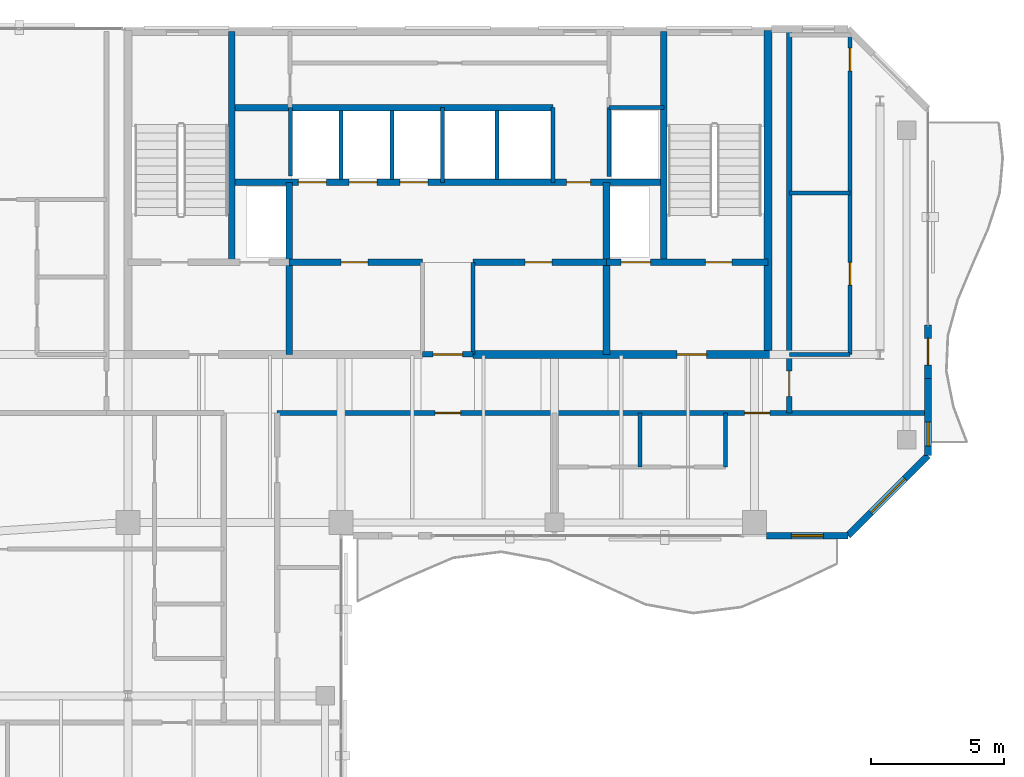
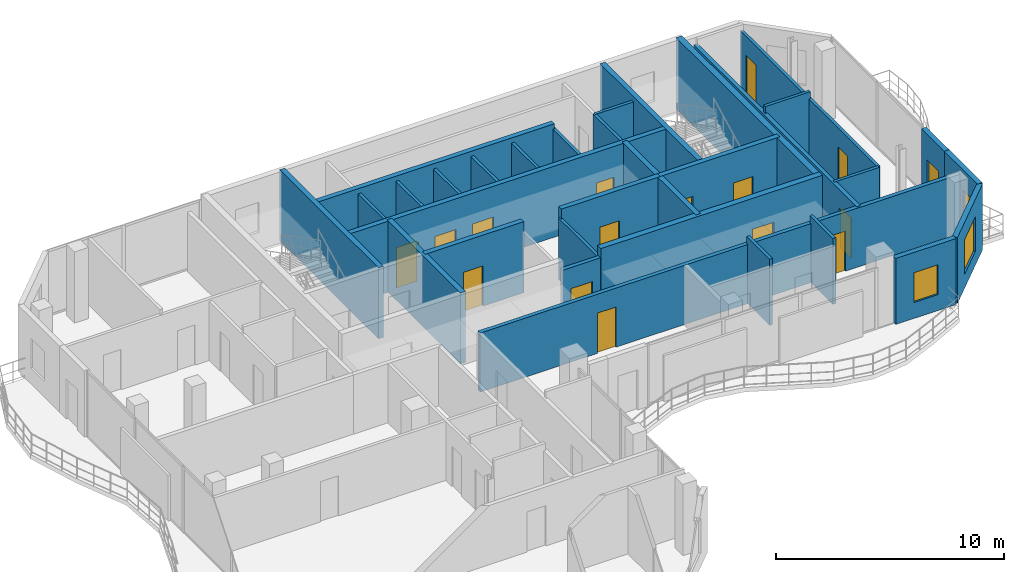
# One storey, part 19 of 23: 32 walls, 16 doors, 3 windows, 19 openings.
"""IFC4 building model written with IfcOpenShell, lengths in metres."""

from ifc_helpers import new_model, si_unit, direction, frame, frame_2d, origin, place, context, subcontext, project, spatial, rectangle, extrude, material, layer, layer_set, type_object, element, fill, save


model = new_model("IFC4")

# Units and contexts
model_context = context("Model", 3, precision=1e-05, world=origin(), true_north=direction((0.0, 1.0)))
body_context = subcontext(model_context, "Body", "Model", "MODEL_VIEW")
ifc_project = project(units=[si_unit("LENGTHUNIT", "METRE"), si_unit("AREAUNIT", "SQUARE_METRE"), si_unit("VOLUMEUNIT", "CUBIC_METRE"), si_unit("PLANEANGLEUNIT", "RADIAN"), si_unit("MASSUNIT", "GRAM", prefix="KILO")], contexts=[model_context])

# Site, building, storey
site_placement = place(None, origin())
site = spatial("IfcSite", under=ifc_project, at=site_placement, CompositionType="ELEMENT")
building_placement = place(site_placement, origin())
building = spatial("IfcBuilding", under=site, at=building_placement, Name="Catumbela Crestline Tower", CompositionType="ELEMENT")
storey_placement = place(building_placement, frame((0.0, 0.0, 252.6)))
storey = spatial("IfcBuildingStorey", under=building, at=storey_placement, Name="L65", CompositionType="ELEMENT", Elevation=252.6)

# Walls
ifc_material_1 = material(Name="Concrete C50/60", Category="concrete")
ifc_layer_1 = layer(ifc_material_1, 0.25, Name="Concrete C50/60")
ifc_layer_set_1 = layer_set([ifc_layer_1], Name="Concrete C50/60")
wall_type_1 = type_object("IfcWallType", Name="CW-250D", PredefinedType="SHEAR", material=ifc_layer_set_1)
for number, where, z_axis, x_axis, name in (
    (1, (19.9, 34.25, 0.0), (0.0, 0.0, 1.0), (0.0, 1.0, 0.0), "L65 Structural Core Shear Wall WWEB"),
    (2, (36.1, 34.25, 0.0), (0.0, 0.0, 1.0), (0.0, 1.0, 0.0), "L65 Structural Core Shear Wall EWEB"),
):
    element("IfcWall", number, at=place(storey_placement, frame(where, z_axis=z_axis, x_axis=x_axis)), inside=storey, type_object=wall_type_1, Name=name, PredefinedType="SHEAR", context=body_context, shape_type="SweptSolid", body=[
        extrude(rectangle(XDim=8.65, YDim=0.25, at=frame_2d((4.325, 0.0))), origin(), (0.0, 0.0, 1.0), 3.8),
    ])
for number, where, z_axis, x_axis, name in (
    (3, (22.05, 30.8, 0.0), (0.0, 0.0, 1.0), (0.0, 1.0, 0.0), "L65 Structural Core Shear Wall FFW"),
    (4, (33.95, 30.8, 0.0), (0.0, 0.0, 1.0), (0.0, 1.0, 0.0), "L65 Structural Core Shear Wall FFE"),
):
    element("IfcWall", number, at=place(storey_placement, frame(where, z_axis=z_axis, x_axis=x_axis)), inside=storey, type_object=wall_type_1, Name=name, PredefinedType="SHEAR", context=body_context, shape_type="SweptSolid", body=[
        extrude(rectangle(XDim=6.45, YDim=0.25, at=frame_2d((3.225, 0.0))), origin(), (0.0, 0.0, 1.0), 3.8),
    ])

# Wall, openings, doors
wall_1_placement = place(storey_placement, frame((33.95, 34.25, 0.0), z_axis=(0.0, 0.0, 1.0), x_axis=(1.0, 0.0, 0.0)))
wall_1 = element("IfcWall", 5, at=wall_1_placement, inside=storey, type_object=wall_type_1, Name="L65 Structural Core Shear Wall ST2S", PredefinedType="SHEAR", context=body_context, shape_type="SweptSolid", body=[
    extrude(rectangle(XDim=6.05, YDim=0.25, at=frame_2d((3.025, 0.0))), origin(), (0.0, 0.0, 1.0), 3.8),
])
opening_1_placement = place(wall_1_placement, frame((3.7, 0.0, 0.0)))
opening_1 = element("IfcOpeningElement", 6, at=opening_1_placement, cuts=wall_1, Name="Opening DF9-100", PredefinedType="OPENING", context=body_context, shape_type="SweptSolid", body=[
    extrude(rectangle(XDim=1.0, YDim=2.15, at=frame_2d((0.5, 1.075))), frame((0.0, 0.135, 0.0), z_axis=(0.0, -1.0, 0.0), x_axis=(1.0, 0.0, 0.0)), (0.0, 0.0, 1.0), 0.27),
])
opening_2_placement = place(wall_1_placement, frame((0.55, 0.0, 0.0)))
opening_2 = element("IfcOpeningElement", 7, at=opening_2_placement, cuts=wall_1, Name="Opening LD-110", PredefinedType="OPENING", context=body_context, shape_type="SweptSolid", body=[
    extrude(rectangle(XDim=1.1, YDim=2.15, at=frame_2d((0.55, 1.075))), frame((0.0, 0.135, 0.0), z_axis=(0.0, -1.0, 0.0), x_axis=(1.0, 0.0, 0.0)), (0.0, 0.0, 1.0), 0.27),
])
ifc_material_2 = material(Name="Stainless steel EN 1.4401", Category="steel")
door_type_1 = type_object("IfcDoorType", Name="DF9-100", OperationType="NOTDEFINED", PredefinedType="DOOR", material=ifc_material_2)
door_1_placement = place(opening_1_placement, origin())
door_1 = element("IfcDoor", 8, at=door_1_placement, inside=storey, type_object=door_type_1, Name="L65 Interior Door DR-L65-ST02", OperationType="SINGLE_SWING_RIGHT", OverallHeight=2.15, OverallWidth=1.0, PredefinedType="DOOR", context=body_context, shape_type="SweptSolid", body=[
    extrude(rectangle(XDim=1.0, YDim=2.15, at=frame_2d((0.5, 1.075))), frame((0.0, 0.025, 0.0), z_axis=(0.0, -1.0, 0.0), x_axis=(1.0, 0.0, 0.0)), (0.0, 0.0, 1.0), 0.05),
])
fill(opening_1, door_1)
door_type_2 = type_object("IfcDoorType", Name="LD-110", OperationType="NOTDEFINED", PredefinedType="DOOR", material=ifc_material_2)
door_2_placement = place(opening_2_placement, origin())
door_2 = element("IfcDoor", 9, at=door_2_placement, inside=storey, type_object=door_type_2, Name="L65 Lift Landing Sliding Door FL-02", OperationType="DOUBLE_DOOR_SLIDING", OverallHeight=2.15, OverallWidth=1.1, PredefinedType="DOOR", context=body_context, shape_type="SweptSolid", body=[
    extrude(rectangle(XDim=1.1, YDim=2.15, at=frame_2d((0.55, 1.075))), frame((0.0, 0.025, 0.0), z_axis=(0.0, -1.0, 0.0), x_axis=(1.0, 0.0, 0.0)), (0.0, 0.0, 1.0), 0.05),
])
fill(opening_2, door_2)

# Wall, opening, door
wall_2_placement = place(storey_placement, frame((22.05, 34.25, 0.0), z_axis=(0.0, 0.0, 1.0), x_axis=(1.0, 0.0, 0.0)))
wall_2 = element("IfcWall", 10, at=wall_2_placement, inside=storey, type_object=wall_type_1, Name="L65 Structural Core Shear Wall LIFTS-W", PredefinedType="SHEAR", context=body_context, shape_type="SweptSolid", body=[
    extrude(rectangle(XDim=5.0, YDim=0.25, at=frame_2d((2.5, 0.0))), origin(), (0.0, 0.0, 1.0), 3.8),
])
opening_3_placement = place(wall_2_placement, frame((1.95, 0.0, 0.0)))
opening_3 = element("IfcOpeningElement", 11, at=opening_3_placement, cuts=wall_2, Name="Opening DF9-100", PredefinedType="OPENING", context=body_context, shape_type="SweptSolid", body=[
    extrude(rectangle(XDim=1.0, YDim=2.15, at=frame_2d((0.5, 1.075))), frame((0.0, 0.135, 0.0), z_axis=(0.0, -1.0, 0.0), x_axis=(1.0, 0.0, 0.0)), (0.0, 0.0, 1.0), 0.27),
])
door_3_placement = place(opening_3_placement, origin())
door_3 = element("IfcDoor", 12, at=door_3_placement, inside=storey, type_object=door_type_1, Name="L65 Interior Door DR-L65-RECL1", OperationType="SINGLE_SWING_LEFT", OverallHeight=2.15, OverallWidth=1.0, PredefinedType="DOOR", context=body_context, shape_type="SweptSolid", body=[
    extrude(rectangle(XDim=1.0, YDim=2.15, at=frame_2d((0.5, 1.075))), frame((0.0, 0.025, 0.0), z_axis=(0.0, -1.0, 0.0), x_axis=(1.0, 0.0, 0.0)), (0.0, 0.0, 1.0), 0.05),
])
fill(opening_3, door_3)

wall_3_placement = place(storey_placement, frame((28.95, 34.25, 0.0), z_axis=(0.0, 0.0, 1.0), x_axis=(1.0, 0.0, 0.0)))
wall_3 = element("IfcWall", 13, at=wall_3_placement, inside=storey, type_object=wall_type_1, Name="L65 Structural Core Shear Wall LIFTS-E", PredefinedType="SHEAR", context=body_context, shape_type="SweptSolid", body=[
    extrude(rectangle(XDim=5.0, YDim=0.25, at=frame_2d((2.5, 0.0))), origin(), (0.0, 0.0, 1.0), 3.8),
])
opening_4_placement = place(wall_3_placement, frame((1.95, 0.0, 0.0)))
opening_4 = element("IfcOpeningElement", 14, at=opening_4_placement, cuts=wall_3, Name="Opening DF9-100", PredefinedType="OPENING", context=body_context, shape_type="SweptSolid", body=[
    extrude(rectangle(XDim=1.0, YDim=2.15, at=frame_2d((0.5, 1.075))), frame((0.0, 0.135, 0.0), z_axis=(0.0, -1.0, 0.0), x_axis=(1.0, 0.0, 0.0)), (0.0, 0.0, 1.0), 0.27),
])
door_4_placement = place(opening_4_placement, origin())
door_4 = element("IfcDoor", 15, at=door_4_placement, inside=storey, type_object=door_type_1, Name="L65 Interior Door DR-L65-RECL2", OperationType="SINGLE_SWING_RIGHT", OverallHeight=2.15, OverallWidth=1.0, PredefinedType="DOOR", context=body_context, shape_type="SweptSolid", body=[
    extrude(rectangle(XDim=1.0, YDim=2.15, at=frame_2d((0.5, 1.075))), frame((0.0, 0.025, 0.0), z_axis=(0.0, -1.0, 0.0), x_axis=(1.0, 0.0, 0.0)), (0.0, 0.0, 1.0), 0.05),
])
fill(opening_4, door_4)

# Wall, openings, doors
wall_4_placement = place(storey_placement, frame((19.9, 37.25, 0.0), z_axis=(0.0, 0.0, 1.0), x_axis=(1.0, 0.0, 0.0)))
wall_4 = element("IfcWall", 16, at=wall_4_placement, inside=storey, type_object=wall_type_1, Name="L65 Structural Core Shear Wall LIFTN", PredefinedType="SHEAR", context=body_context, shape_type="SweptSolid", body=[
    extrude(rectangle(XDim=16.2, YDim=0.25, at=frame_2d((8.1, 0.0))), origin(), (0.0, 0.0, 1.0), 3.8),
])
opening_5_placement = place(wall_4_placement, frame((12.55, 0.0, 0.0)))
opening_5 = element("IfcOpeningElement", 17, at=opening_5_placement, cuts=wall_4, Name="Opening DF9-090", PredefinedType="OPENING", context=body_context, shape_type="SweptSolid", body=[
    extrude(rectangle(XDim=0.9, YDim=2.15, at=frame_2d((0.45, 1.075))), frame((0.0, 0.135, 0.0), z_axis=(0.0, -1.0, 0.0), x_axis=(1.0, 0.0, 0.0)), (0.0, 0.0, 1.0), 0.27),
])
opening_6_placement = place(wall_4_placement, frame((2.5, 0.0, 0.0)))
opening_6 = element("IfcOpeningElement", 18, at=opening_6_placement, cuts=wall_4, Name="Opening LD-105", PredefinedType="OPENING", context=body_context, shape_type="SweptSolid", body=[
    extrude(rectangle(XDim=1.05, YDim=2.15, at=frame_2d((0.525, 1.075))), frame((0.0, 0.135, 0.0), z_axis=(0.0, -1.0, 0.0), x_axis=(1.0, 0.0, 0.0)), (0.0, 0.0, 1.0), 0.27),
])
opening_7_placement = place(wall_4_placement, frame((4.4, 0.0, 0.0)))
opening_7 = element("IfcOpeningElement", 19, at=opening_7_placement, cuts=wall_4, Name="Opening LD-105", PredefinedType="OPENING", context=body_context, shape_type="SweptSolid", body=[
    extrude(rectangle(XDim=1.05, YDim=2.15, at=frame_2d((0.525, 1.075))), frame((0.0, 0.135, 0.0), z_axis=(0.0, -1.0, 0.0), x_axis=(1.0, 0.0, 0.0)), (0.0, 0.0, 1.0), 0.27),
])
opening_8_placement = place(wall_4_placement, frame((6.3, 0.0, 0.0)))
opening_8 = element("IfcOpeningElement", 20, at=opening_8_placement, cuts=wall_4, Name="Opening LD-105", PredefinedType="OPENING", context=body_context, shape_type="SweptSolid", body=[
    extrude(rectangle(XDim=1.05, YDim=2.15, at=frame_2d((0.525, 1.075))), frame((0.0, 0.135, 0.0), z_axis=(0.0, -1.0, 0.0), x_axis=(1.0, 0.0, 0.0)), (0.0, 0.0, 1.0), 0.27),
])
door_type_3 = type_object("IfcDoorType", Name="DF9-090", OperationType="NOTDEFINED", PredefinedType="DOOR", material=ifc_material_2)
door_5_placement = place(opening_5_placement, origin())
door_5 = element("IfcDoor", 21, at=door_5_placement, inside=storey, type_object=door_type_3, Name="L65 Interior Door DR-L65-CPAS1", OperationType="SINGLE_SWING_LEFT", OverallHeight=2.15, OverallWidth=0.9, PredefinedType="DOOR", context=body_context, shape_type="SweptSolid", body=[
    extrude(rectangle(XDim=0.9, YDim=2.15, at=frame_2d((0.45, 1.075))), frame((0.0, 0.025, 0.0), z_axis=(0.0, -1.0, 0.0), x_axis=(1.0, 0.0, 0.0)), (0.0, 0.0, 1.0), 0.05),
])
fill(opening_5, door_5)
door_type_4 = type_object("IfcDoorType", Name="LD-105", OperationType="NOTDEFINED", PredefinedType="DOOR", material=ifc_material_2)
door_6_placement = place(opening_6_placement, origin())
door_6 = element("IfcDoor", 22, at=door_6_placement, inside=storey, type_object=door_type_4, Name="L65 Lift Landing Sliding Door PL-H1", OperationType="DOUBLE_DOOR_SLIDING", OverallHeight=2.15, OverallWidth=1.05, PredefinedType="DOOR", context=body_context, shape_type="SweptSolid", body=[
    extrude(rectangle(XDim=1.05, YDim=2.15, at=frame_2d((0.525, 1.075))), frame((0.0, 0.025, 0.0), z_axis=(0.0, -1.0, 0.0), x_axis=(1.0, 0.0, 0.0)), (0.0, 0.0, 1.0), 0.05),
])
fill(opening_6, door_6)
door_7_placement = place(opening_7_placement, origin())
door_7 = element("IfcDoor", 23, at=door_7_placement, inside=storey, type_object=door_type_4, Name="L65 Lift Landing Sliding Door PL-H2", OperationType="DOUBLE_DOOR_SLIDING", OverallHeight=2.15, OverallWidth=1.05, PredefinedType="DOOR", context=body_context, shape_type="SweptSolid", body=[
    extrude(rectangle(XDim=1.05, YDim=2.15, at=frame_2d((0.525, 1.075))), frame((0.0, 0.025, 0.0), z_axis=(0.0, -1.0, 0.0), x_axis=(1.0, 0.0, 0.0)), (0.0, 0.0, 1.0), 0.05),
])
fill(opening_7, door_7)
door_8_placement = place(opening_8_placement, origin())
door_8 = element("IfcDoor", 24, at=door_8_placement, inside=storey, type_object=door_type_4, Name="L65 Lift Landing Sliding Door PL-H3", OperationType="DOUBLE_DOOR_SLIDING", OverallHeight=2.15, OverallWidth=1.05, PredefinedType="DOOR", context=body_context, shape_type="SweptSolid", body=[
    extrude(rectangle(XDim=1.05, YDim=2.15, at=frame_2d((0.525, 1.075))), frame((0.0, 0.025, 0.0), z_axis=(0.0, -1.0, 0.0), x_axis=(1.0, 0.0, 0.0)), (0.0, 0.0, 1.0), 0.05),
])
fill(opening_8, door_8)

# Walls
wall_5_placement = place(storey_placement, frame((19.9, 40.05, 0.0), z_axis=(0.0, 0.0, 1.0), x_axis=(1.0, 0.0, 0.0)))
element("IfcWall", 25, at=wall_5_placement, inside=storey, type_object=wall_type_1, Name="L65 Structural Core Shear Wall COREN", PredefinedType="SHEAR", context=body_context, shape_type="SweptSolid", body=[
    extrude(rectangle(XDim=12.05, YDim=0.25, at=frame_2d((6.025, 0.0))), origin(), (0.0, 0.0, 1.0), 3.8),
])
ifc_material_3 = material(Name="Concrete C45/55", Category="concrete")
ifc_layer_2 = layer(ifc_material_3, 0.3, Name="Concrete C45/55")
ifc_layer_set_2 = layer_set([ifc_layer_2], Name="Concrete C45/55")
wall_type_2 = type_object("IfcWallType", Name="CW-300C", PredefinedType="SHEAR", material=ifc_layer_set_2)
wall_6_placement = place(storey_placement, frame((40.0, 30.65, 0.0), z_axis=(0.0, 0.0, 1.0), x_axis=(0.0, 1.0, 0.0)))
element("IfcWall", 26, at=wall_6_placement, inside=storey, type_object=wall_type_2, Name="L65 Structural Core Shear Wall E", PredefinedType="SHEAR", context=body_context, shape_type="SweptSolid", body=[
    extrude(rectangle(XDim=12.3, YDim=0.3, at=frame_2d((6.15, 0.0))), origin(), (0.0, 0.0, 1.0), 3.8),
])

# Wall, opening, door
wall_7_placement = place(storey_placement, frame((28.95, 30.8, 0.0), z_axis=(0.0, 0.0, 1.0), x_axis=(1.0, 0.0, 0.0)))
wall_7 = element("IfcWall", 27, at=wall_7_placement, inside=storey, type_object=wall_type_2, Name="L65 Structural Core Shear Wall SE", PredefinedType="SHEAR", context=body_context, shape_type="SweptSolid", body=[
    extrude(rectangle(XDim=11.2, YDim=0.3, at=frame_2d((5.6, 0.0))), origin(), (0.0, 0.0, 1.0), 3.8),
])
opening_9_placement = place(wall_7_placement, frame((7.65, 0.0, 0.0)))
opening_9 = element("IfcOpeningElement", 28, at=opening_9_placement, cuts=wall_7, Name="Opening DF9-110", PredefinedType="OPENING", context=body_context, shape_type="SweptSolid", body=[
    extrude(rectangle(XDim=1.1, YDim=2.15, at=frame_2d((0.55, 1.075))), frame((0.0, 0.16, 0.0), z_axis=(0.0, -1.0, 0.0), x_axis=(1.0, 0.0, 0.0)), (0.0, 0.0, 1.0), 0.32),
])
door_type_5 = type_object("IfcDoorType", Name="DF9-110", OperationType="NOTDEFINED", PredefinedType="DOOR", material=ifc_material_2)
door_9_placement = place(opening_9_placement, origin())
door_9 = element("IfcDoor", 29, at=door_9_placement, inside=storey, type_object=door_type_5, Name="L65 Interior Door DR-L65-FFE-S", OperationType="SINGLE_SWING_RIGHT", OverallHeight=2.15, OverallWidth=1.1, PredefinedType="DOOR", context=body_context, shape_type="SweptSolid", body=[
    extrude(rectangle(XDim=1.1, YDim=2.15, at=frame_2d((0.55, 1.075))), frame((0.0, 0.025, 0.0), z_axis=(0.0, -1.0, 0.0), x_axis=(1.0, 0.0, 0.0)), (0.0, 0.0, 1.0), 0.05),
])
fill(opening_9, door_9)

ifc_material_4 = material(Name="Acoustic gypsum and mineral-wool partition")
ifc_layer_3 = layer(ifc_material_4, 0.2, Name="Acoustic gypsum and mineral-wool partition")
ifc_layer_set_3 = layer_set([ifc_layer_3], Name="Acoustic gypsum and mineral-wool partition")
wall_type_3 = type_object("IfcWallType", Name="WC-200", PredefinedType="PARTITIONING", material=ifc_layer_set_3)
wall_8_placement = place(storey_placement, frame((27.05, 30.8, 0.0), z_axis=(0.0, 0.0, 1.0), x_axis=(1.0, 0.0, 0.0)))
wall_8 = element("IfcWall", 30, at=wall_8_placement, inside=storey, type_object=wall_type_3, Name="L65 Interior Partition PW-L65-CLOBS", PredefinedType="PARTITIONING", context=body_context, shape_type="SweptSolid", body=[
    extrude(rectangle(XDim=1.9, YDim=0.2, at=frame_2d((0.95, 0.0))), origin(), (0.0, 0.0, 1.0), 3.28),
])
opening_10_placement = place(wall_8_placement, frame((0.4, 0.0, 0.0)))
opening_10 = element("IfcOpeningElement", 31, at=opening_10_placement, cuts=wall_8, Name="Opening DF9-110", PredefinedType="OPENING", context=body_context, shape_type="SweptSolid", body=[
    extrude(rectangle(XDim=1.1, YDim=2.15, at=frame_2d((0.55, 1.075))), frame((0.0, 0.11, 0.0), z_axis=(0.0, -1.0, 0.0), x_axis=(1.0, 0.0, 0.0)), (0.0, 0.0, 1.0), 0.22),
])
door_10_placement = place(opening_10_placement, origin())
door_10 = element("IfcDoor", 32, at=door_10_placement, inside=storey, type_object=door_type_5, Name="L65 Interior Door DR-L65-CLOBS", OperationType="SINGLE_SWING_LEFT", OverallHeight=2.15, OverallWidth=1.1, PredefinedType="DOOR", context=body_context, shape_type="SweptSolid", body=[
    extrude(rectangle(XDim=1.1, YDim=2.15, at=frame_2d((0.55, 1.075))), frame((0.0, 0.025, 0.0), z_axis=(0.0, -1.0, 0.0), x_axis=(1.0, 0.0, 0.0)), (0.0, 0.0, 1.0), 0.05),
])
fill(opening_10, door_10)

# Wall, openings, doors
wall_9_placement = place(storey_placement, frame((21.6, 28.6, 0.0), z_axis=(0.0, 0.0, 1.0), x_axis=(1.0, 0.0, 0.0)))
wall_9 = element("IfcWall", 33, at=wall_9_placement, inside=storey, type_object=wall_type_3, Name="L65 Interior Partition PW-L65-RCWR", PredefinedType="PARTITIONING", context=body_context, shape_type="SweptSolid", body=[
    extrude(rectangle(XDim=24.3, YDim=0.2, at=frame_2d((12.15, 0.0))), origin(), (0.0, 0.0, 1.0), 3.16),
])
opening_11_placement = place(wall_9_placement, frame((5.925, 0.0, 0.0)))
opening_11 = element("IfcOpeningElement", 34, at=opening_11_placement, cuts=wall_9, Name="Opening DF6-095", PredefinedType="OPENING", context=body_context, shape_type="SweptSolid", body=[
    extrude(rectangle(XDim=0.95, YDim=2.15, at=frame_2d((0.475, 1.075))), frame((0.0, 0.11, 0.0), z_axis=(0.0, -1.0, 0.0), x_axis=(1.0, 0.0, 0.0)), (0.0, 0.0, 1.0), 0.22),
])
opening_12_placement = place(wall_9_placement, frame((17.525, 0.0, 0.0)))
opening_12 = element("IfcOpeningElement", 35, at=opening_12_placement, cuts=wall_9, Name="Opening DF6-095", PredefinedType="OPENING", context=body_context, shape_type="SweptSolid", body=[
    extrude(rectangle(XDim=0.95, YDim=2.15, at=frame_2d((0.475, 1.075))), frame((0.0, 0.11, 0.0), z_axis=(0.0, -1.0, 0.0), x_axis=(1.0, 0.0, 0.0)), (0.0, 0.0, 1.0), 0.22),
])
ifc_material_5 = material(Name="Aluminium alloy AW-6060-T66", Category="aluminium")
door_type_6 = type_object("IfcDoorType", Name="DF6-095", OperationType="NOTDEFINED", PredefinedType="DOOR", material=ifc_material_5)
door_11_placement = place(opening_11_placement, origin())
door_11 = element("IfcDoor", 36, at=door_11_placement, inside=storey, type_object=door_type_6, Name="L65 Interior Door DR-L65-Z4G3O-ENT", OperationType="SINGLE_SWING_RIGHT", OverallHeight=2.15, OverallWidth=0.95, PredefinedType="DOOR", context=body_context, shape_type="SweptSolid", body=[
    extrude(rectangle(XDim=0.95, YDim=2.15, at=frame_2d((0.475, 1.075))), frame((0.0, 0.025, 0.0), z_axis=(0.0, -1.0, 0.0), x_axis=(1.0, 0.0, 0.0)), (0.0, 0.0, 1.0), 0.05),
])
fill(opening_11, door_11)
door_12_placement = place(opening_12_placement, origin())
door_12 = element("IfcDoor", 37, at=door_12_placement, inside=storey, type_object=door_type_6, Name="L65 Interior Door DR-L65-S2-ENT", OperationType="SINGLE_SWING_RIGHT", OverallHeight=2.15, OverallWidth=0.95, PredefinedType="DOOR", context=body_context, shape_type="SweptSolid", body=[
    extrude(rectangle(XDim=0.95, YDim=2.15, at=frame_2d((0.475, 1.075))), frame((0.0, 0.025, 0.0), z_axis=(0.0, -1.0, 0.0), x_axis=(1.0, 0.0, 0.0)), (0.0, 0.0, 1.0), 0.05),
])
fill(opening_12, door_12)

# Wall, opening, door
wall_10_placement = place(storey_placement, frame((40.8, 28.6, 0.0), z_axis=(0.0, 0.0, 1.0), x_axis=(0.0, 1.0, 0.0)))
wall_10 = element("IfcWall", 38, at=wall_10_placement, inside=storey, type_object=wall_type_3, Name="L65 Interior Partition PW-L65-NE1-ENT", PredefinedType="PARTITIONING", context=body_context, shape_type="SweptSolid", body=[
    extrude(rectangle(XDim=14.3, YDim=0.2, at=frame_2d((7.15, 0.0))), origin(), (0.0, 0.0, 1.0), 3.16),
])
opening_13_placement = place(wall_10_placement, frame((0.625, 0.0, 0.0)))
opening_13 = element("IfcOpeningElement", 39, at=opening_13_placement, cuts=wall_10, Name="Opening DF6-095", PredefinedType="OPENING", context=body_context, shape_type="SweptSolid", body=[
    extrude(rectangle(XDim=0.95, YDim=2.15, at=frame_2d((0.475, 1.075))), frame((0.0, 0.11, 0.0), z_axis=(0.0, -1.0, 0.0), x_axis=(1.0, 0.0, 0.0)), (0.0, 0.0, 1.0), 0.22),
])
door_13_placement = place(opening_13_placement, origin())
door_13 = element("IfcDoor", 40, at=door_13_placement, inside=storey, type_object=door_type_6, Name="L65 Interior Door DR-L65-NE1-ENT", OperationType="SINGLE_SWING_LEFT", OverallHeight=2.15, OverallWidth=0.95, PredefinedType="DOOR", context=body_context, shape_type="SweptSolid", body=[
    extrude(rectangle(XDim=0.95, YDim=2.15, at=frame_2d((0.475, 1.075))), frame((0.0, 0.025, 0.0), z_axis=(0.0, -1.0, 0.0), x_axis=(1.0, 0.0, 0.0)), (0.0, 0.0, 1.0), 0.05),
])
fill(opening_13, door_13)

# Wall, opening, window
ifc_material_6 = material(Name="Angolan grey-ochre granite", Category="masonry")
ifc_layer_4 = layer(ifc_material_6, 0.25, Name="Angolan grey-ochre granite")
ifc_layer_set_4 = layer_set([ifc_layer_4], Name="Angolan grey-ochre granite")
wall_type_4 = type_object("IfcWallType", Name="WE-250", PredefinedType="STANDARD", material=ifc_layer_set_4)
wall_11_placement = place(storey_placement, frame((39.95, 24.0, 0.0), z_axis=(0.0, 0.0, 1.0), x_axis=(1.0, 0.0, 0.0)))
wall_11 = element("IfcWall", 41, at=wall_11_placement, inside=storey, type_object=wall_type_4, Name="L65 Granite Punched Window Wall 3-3", PredefinedType="STANDARD", context=body_context, shape_type="SweptSolid", body=[
    extrude(rectangle(XDim=3.05, YDim=0.25, at=frame_2d((1.525, 0.0))), origin(), (0.0, 0.0, 1.0), 3.53),
])
opening_14_placement = place(wall_11_placement, frame((0.925, 0.0, 0.85)))
opening_14 = element("IfcOpeningElement", 42, at=opening_14_placement, cuts=wall_11, Name="Opening WN-02", PredefinedType="OPENING", context=body_context, shape_type="SweptSolid", body=[
    extrude(rectangle(XDim=1.2, YDim=1.6, at=frame_2d((0.6, 0.8))), frame((0.0, 0.135, 0.0), z_axis=(0.0, -1.0, 0.0), x_axis=(1.0, 0.0, 0.0)), (0.0, 0.0, 1.0), 0.27),
])
ifc_material_7 = material(Name="Low-E laminated solar-control double glazing", Category="glass")
window_type_1 = type_object("IfcWindowType", Name="WO-1200", PartitioningType="SINGLE_PANEL", PredefinedType="WINDOW", material=ifc_material_7)
window_1_placement = place(opening_14_placement, origin())
window_1 = element("IfcWindow", 43, at=window_1_placement, inside=storey, type_object=window_type_1, Name="L65 Facade Vision Window 496", OverallHeight=1.6, OverallWidth=1.2, PartitioningType="SINGLE_PANEL", PredefinedType="WINDOW", context=body_context, shape_type="SweptSolid", body=[
    extrude(rectangle(XDim=1.2, YDim=1.6, at=frame_2d((0.6, 0.8))), frame((0.0, 0.03, 0.0), z_axis=(0.0, -1.0, 0.0), x_axis=(1.0, 0.0, 0.0)), (0.0, 0.0, 1.0), 0.06),
])
fill(opening_14, window_1)

wall_12_placement = place(storey_placement, frame((43.0, 24.0, 0.0), z_axis=(0.0, 0.0, 1.0), x_axis=(0.707106781187, 0.707106781187, 0.0)))
wall_12 = element("IfcWall", 44, at=wall_12_placement, inside=storey, type_object=wall_type_4, Name="L65 Granite Punched Window Wall 4-1", PredefinedType="STANDARD", context=body_context, shape_type="SweptSolid", body=[
    extrude(rectangle(XDim=4.2426, YDim=0.25, at=frame_2d((2.1213, 0.0))), origin(), (0.0, 0.0, 1.0), 3.53),
])
opening_15_placement = place(wall_12_placement, frame((1.2213, 0.0, 0.75)))
opening_15 = element("IfcOpeningElement", 45, at=opening_15_placement, cuts=wall_12, Name="Opening WN-01", PredefinedType="OPENING", context=body_context, shape_type="SweptSolid", body=[
    extrude(rectangle(XDim=1.8, YDim=1.85, at=frame_2d((0.9, 0.925))), frame((0.0, 0.135, 0.0), z_axis=(0.0, -1.0, 0.0), x_axis=(1.0, 0.0, 0.0)), (0.0, 0.0, 1.0), 0.27),
])
window_type_2 = type_object("IfcWindowType", Name="WF-1800", PartitioningType="SINGLE_PANEL", PredefinedType="WINDOW", material=ifc_material_7)
window_2_placement = place(opening_15_placement, origin())
window_2 = element("IfcWindow", 46, at=window_2_placement, inside=storey, type_object=window_type_2, Name="L65 Facade Vision Window 497", OverallHeight=1.85, OverallWidth=1.8, PartitioningType="SINGLE_PANEL", PredefinedType="WINDOW", context=body_context, shape_type="SweptSolid", body=[
    extrude(rectangle(XDim=1.8, YDim=1.85, at=frame_2d((0.9, 0.925))), frame((0.0, 0.03, 0.0), z_axis=(0.0, -1.0, 0.0), x_axis=(1.0, 0.0, 0.0)), (0.0, 0.0, 1.0), 0.06),
])
fill(opening_15, window_2)

# Wall, opening, door
wall_13_placement = place(storey_placement, frame((46.0, 29.9, 0.0), z_axis=(0.0, 0.0, 1.0), x_axis=(0.0, 1.0, 0.0)))
wall_13 = element("IfcWall", 47, at=wall_13_placement, inside=storey, type_object=wall_type_4, Name="L65 Exterior Threshold Portal Wall DR-L65-WBAL-2", PredefinedType="STANDARD", context=body_context, shape_type="SweptSolid", body=[
    extrude(rectangle(XDim=2.0, YDim=0.25, at=frame_2d((1.0, 0.0))), origin(), (0.0, 0.0, 1.0), 3.53),
])
opening_16_placement = place(wall_13_placement, frame((0.5, 0.0, 0.0)))
opening_16 = element("IfcOpeningElement", 48, at=opening_16_placement, cuts=wall_13, Name="Opening DB-L65-2", PredefinedType="OPENING", context=body_context, shape_type="SweptSolid", body=[
    extrude(rectangle(XDim=1.0, YDim=2.15, at=frame_2d((0.5, 1.075))), frame((0.0, 0.135, 0.0), z_axis=(0.0, -1.0, 0.0), x_axis=(1.0, 0.0, 0.0)), (0.0, 0.0, 1.0), 0.27),
])
door_type_7 = type_object("IfcDoorType", Name="DB-1000", OperationType="NOTDEFINED", PredefinedType="DOOR", material=ifc_material_5)
door_14_placement = place(opening_16_placement, origin())
door_14 = element("IfcDoor", 49, at=door_14_placement, inside=storey, type_object=door_type_7, Name="L65 Wave Balcony Terrace Door 2", OperationType="SINGLE_SWING_RIGHT", OverallHeight=2.15, OverallWidth=1.0, PredefinedType="DOOR", context=body_context, shape_type="SweptSolid", body=[
    extrude(rectangle(XDim=1.0, YDim=2.15, at=frame_2d((0.5, 1.075))), frame((0.0, 0.025, 0.0), z_axis=(0.0, -1.0, 0.0), x_axis=(1.0, 0.0, 0.0)), (0.0, 0.0, 1.0), 0.05),
])
fill(opening_16, door_14)

# Wall, opening, window
wall_14_placement = place(storey_placement, frame((46.0, 27.0, 0.0), z_axis=(0.0, 0.0, 1.0), x_axis=(0.0, 1.0, 0.0)))
wall_14 = element("IfcWall", 50, at=wall_14_placement, inside=storey, type_object=wall_type_4, Name="L65 Granite Punched Window Wall 5-1", PredefinedType="STANDARD", context=body_context, shape_type="SweptSolid", body=[
    extrude(rectangle(XDim=2.9, YDim=0.25, at=frame_2d((1.45, 0.0))), origin(), (0.0, 0.0, 1.0), 3.53),
])
opening_17_placement = place(wall_14_placement, frame((0.36, 0.0, 0.9)))
opening_17 = element("IfcOpeningElement", 51, at=opening_17_placement, cuts=wall_14, Name="Opening WN-03", PredefinedType="OPENING", context=body_context, shape_type="SweptSolid", body=[
    extrude(rectangle(XDim=0.9, YDim=1.55, at=frame_2d((0.45, 0.775))), frame((0.0, 0.135, 0.0), z_axis=(0.0, -1.0, 0.0), x_axis=(1.0, 0.0, 0.0)), (0.0, 0.0, 1.0), 0.27),
])
window_type_3 = type_object("IfcWindowType", Name="WO-0900", PartitioningType="SINGLE_PANEL", PredefinedType="WINDOW", material=ifc_material_7)
window_3_placement = place(opening_17_placement, origin())
window_3 = element("IfcWindow", 52, at=window_3_placement, inside=storey, type_object=window_type_3, Name="L65 Facade Vision Window 498", OverallHeight=1.55, OverallWidth=0.9, PartitioningType="SINGLE_PANEL", PredefinedType="WINDOW", context=body_context, shape_type="SweptSolid", body=[
    extrude(rectangle(XDim=0.9, YDim=1.55, at=frame_2d((0.45, 0.775))), frame((0.0, 0.03, 0.0), z_axis=(0.0, -1.0, 0.0), x_axis=(1.0, 0.0, 0.0)), (0.0, 0.0, 1.0), 0.06),
])
fill(opening_17, window_3)

# Walls
ifc_layer_5 = layer(ifc_material_4, 0.15, Name="Acoustic gypsum and mineral-wool partition")
ifc_layer_set_5 = layer_set([ifc_layer_5], Name="Acoustic gypsum and mineral-wool partition")
wall_type_5 = type_object("IfcWallType", Name="WP-150", PredefinedType="PARTITIONING", material=ifc_layer_set_5)
wall_15_placement = place(storey_placement, frame((34.05, 40.05, 0.0), z_axis=(0.0, 0.0, 1.0), x_axis=(1.0, 0.0, 0.0)))
element("IfcWall", 53, at=wall_15_placement, inside=storey, type_object=wall_type_5, Name="L65 Interior Partition PW-L65-CR-ES", PredefinedType="PARTITIONING", context=body_context, shape_type="SweptSolid", body=[
    extrude(rectangle(XDim=2.05, YDim=0.15, at=frame_2d((1.025, 0.0))), origin(), (0.0, 0.0, 1.0), 3.53),
])
wall_16_placement = place(storey_placement, frame((40.8, 30.8, 0.0), z_axis=(0.0, 0.0, 1.0), x_axis=(1.0, 0.0, 0.0)))
element("IfcWall", 54, at=wall_16_placement, inside=storey, type_object=wall_type_5, Name="L65 Interior Partition PW-L65-NE1-KBS", PredefinedType="PARTITIONING", context=body_context, shape_type="SweptSolid", body=[
    extrude(rectangle(XDim=2.28, YDim=0.15, at=frame_2d((1.14, 0.0))), origin(), (0.0, 0.0, 1.0), 3.16),
])
wall_17_placement = place(storey_placement, frame((40.8, 36.85, 0.0), z_axis=(0.0, 0.0, 1.0), x_axis=(1.0, 0.0, 0.0)))
element("IfcWall", 55, at=wall_17_placement, inside=storey, type_object=wall_type_5, Name="L65 Interior Partition PW-L65-NE1-KBM", PredefinedType="PARTITIONING", context=body_context, shape_type="SweptSolid", body=[
    extrude(rectangle(XDim=2.28, YDim=0.15, at=frame_2d((1.14, 0.0))), origin(), (0.0, 0.0, 1.0), 3.53),
])

# Wall, openings, doors
wall_18_placement = place(storey_placement, frame((43.08, 30.8, 0.0), z_axis=(0.0, 0.0, 1.0), x_axis=(0.0, 1.0, 0.0)))
wall_18 = element("IfcWall", 56, at=wall_18_placement, inside=storey, type_object=wall_type_5, Name="L65 Interior Partition PW-L65-NE1-SK1", PredefinedType="PARTITIONING", context=body_context, shape_type="SweptSolid", body=[
    extrude(rectangle(XDim=12.02, YDim=0.15, at=frame_2d((6.01, 0.0))), origin(), (0.0, 0.0, 1.0), 3.16),
])
opening_18_placement = place(wall_18_placement, frame((2.6, 0.0, 0.0)))
opening_18 = element("IfcOpeningElement", 57, at=opening_18_placement, cuts=wall_18, Name="Opening DI-085", PredefinedType="OPENING", context=body_context, shape_type="SweptSolid", body=[
    extrude(rectangle(XDim=0.85, YDim=2.15, at=frame_2d((0.425, 1.075))), frame((0.0, 0.085, 0.0), z_axis=(0.0, -1.0, 0.0), x_axis=(1.0, 0.0, 0.0)), (0.0, 0.0, 1.0), 0.17),
])
opening_19_placement = place(wall_18_placement, frame((10.6287, 0.0, 0.0)))
opening_19 = element("IfcOpeningElement", 58, at=opening_19_placement, cuts=wall_18, Name="Opening DI-085", PredefinedType="OPENING", context=body_context, shape_type="SweptSolid", body=[
    extrude(rectangle(XDim=0.85, YDim=2.15, at=frame_2d((0.425, 1.075))), frame((0.0, 0.085, 0.0), z_axis=(0.0, -1.0, 0.0), x_axis=(1.0, 0.0, 0.0)), (0.0, 0.0, 1.0), 0.17),
])
door_type_8 = type_object("IfcDoorType", Name="DI-085", OperationType="NOTDEFINED", PredefinedType="DOOR", material=ifc_material_5)
door_15_placement = place(opening_18_placement, origin())
door_15 = element("IfcDoor", 59, at=door_15_placement, inside=storey, type_object=door_type_8, Name="L65 Interior Door DR-L65-NE1-KIT", OperationType="SINGLE_SWING_LEFT", OverallHeight=2.15, OverallWidth=0.85, PredefinedType="DOOR", context=body_context, shape_type="SweptSolid", body=[
    extrude(rectangle(XDim=0.85, YDim=2.15, at=frame_2d((0.425, 1.075))), frame((0.0, 0.025, 0.0), z_axis=(0.0, -1.0, 0.0), x_axis=(1.0, 0.0, 0.0)), (0.0, 0.0, 1.0), 0.05),
])
fill(opening_18, door_15)
door_16_placement = place(opening_19_placement, origin())
door_16 = element("IfcDoor", 60, at=door_16_placement, inside=storey, type_object=door_type_8, Name="L65 Interior Door DR-L65-NE1-BTH", OperationType="SINGLE_SWING_RIGHT", OverallHeight=2.15, OverallWidth=0.85, PredefinedType="DOOR", context=body_context, shape_type="SweptSolid", body=[
    extrude(rectangle(XDim=0.85, YDim=2.15, at=frame_2d((0.425, 1.075))), frame((0.0, 0.025, 0.0), z_axis=(0.0, -1.0, 0.0), x_axis=(1.0, 0.0, 0.0)), (0.0, 0.0, 1.0), 0.05),
])
fill(opening_19, door_16)

# Walls
for number, where, z_axis, x_axis, name in (
    (61, (38.4, 26.576, 0.0), (0.0, 0.0, 1.0), (0.0, 1.0, 0.0), "L65 Interior Partition PW-L65-S2-KBE"),
    (62, (35.2, 26.576, 0.0), (0.0, 0.0, 1.0), (0.0, 1.0, 0.0), "L65 Interior Partition PW-L65-S2-KBM"),
):
    element("IfcWall", number, at=place(storey_placement, frame(where, z_axis=z_axis, x_axis=x_axis)), inside=storey, type_object=wall_type_5, Name=name, PredefinedType="PARTITIONING", context=body_context, shape_type="SweptSolid", body=[
        extrude(rectangle(XDim=2.024, YDim=0.15, at=frame_2d((1.012, 0.0))), origin(), (0.0, 0.0, 1.0), 3.53),
    ])
ifc_layer_6 = layer(ifc_material_4, 0.15, Name="Acoustic gypsum and mineral-wool partition")
ifc_layer_set_6 = layer_set([ifc_layer_6], Name="Acoustic gypsum and mineral-wool partition")
wall_type_6 = type_object("IfcWallType", Name="WS-150", PredefinedType="PLUMBINGWALL", material=ifc_layer_set_6)
wall_19_placement = place(storey_placement, frame((28.95, 30.8, 0.0), z_axis=(0.0, 0.0, 1.0), x_axis=(0.0, 1.0, 0.0)))
element("IfcWall", 63, at=wall_19_placement, inside=storey, type_object=wall_type_6, Name="L65 Interior Partition PW-L65-THRE", PredefinedType="PLUMBINGWALL", context=body_context, shape_type="SweptSolid", body=[
    extrude(rectangle(XDim=3.45, YDim=0.15, at=frame_2d((1.725, 0.0))), origin(), (0.0, 0.0, 1.0), 3.28),
])
wall_20_placement = place(storey_placement, frame((22.1, 37.4897, 0.0), z_axis=(0.0, 0.0, 1.0), x_axis=(0.0, 1.0, 0.0)))
element("IfcWall", 64, at=wall_20_placement, inside=storey, type_object=wall_type_6, Name="L65 Interior Partition PW-L65-SHH0", PredefinedType="PLUMBINGWALL", context=body_context, shape_type="SweptSolid", body=[
    extrude(rectangle(XDim=2.5603, YDim=0.15, at=frame_2d((1.2801, 0.0))), origin(), (0.0, 0.0, 1.0), 3.53),
])
wall_21_placement = place(storey_placement, frame((27.8, 37.25, 0.0), z_axis=(0.0, 0.0, 1.0), x_axis=(0.0, 1.0, 0.0)))
element("IfcWall", 65, at=wall_21_placement, inside=storey, type_object=wall_type_6, Name="L65 Interior Partition PW-L65-SHH3", PredefinedType="PLUMBINGWALL", context=body_context, shape_type="SweptSolid", body=[
    extrude(rectangle(XDim=2.8, YDim=0.15, at=frame_2d((1.4, 0.0))), origin(), (0.0, 0.0, 1.0), 3.53),
])
for number, where, z_axis, x_axis, name in (
    (66, (24.0, 37.35, 0.0), (0.0, 0.0, 1.0), (0.0, 1.0, 0.0), "L65 Interior Partition PW-L65-SHH1"),
    (67, (25.9, 37.35, 0.0), (0.0, 0.0, 1.0), (0.0, 1.0, 0.0), "L65 Interior Partition PW-L65-SHH2"),
):
    element("IfcWall", number, at=place(storey_placement, frame(where, z_axis=z_axis, x_axis=x_axis)), inside=storey, type_object=wall_type_6, Name=name, PredefinedType="PLUMBINGWALL", context=body_context, shape_type="SweptSolid", body=[
        extrude(rectangle(XDim=2.6, YDim=0.15, at=frame_2d((1.3, 0.0))), origin(), (0.0, 0.0, 1.0), 3.53),
    ])
wall_22_placement = place(storey_placement, frame((31.95, 37.25, 0.0), z_axis=(0.0, 0.0, 1.0), x_axis=(0.0, 1.0, 0.0)))
element("IfcWall", 68, at=wall_22_placement, inside=storey, type_object=wall_type_6, Name="L65 Interior Partition PW-L65-SHEX2E", PredefinedType="PLUMBINGWALL", context=body_context, shape_type="SweptSolid", body=[
    extrude(rectangle(XDim=2.8, YDim=0.15, at=frame_2d((1.4, 0.0))), origin(), (0.0, 0.0, 1.0), 3.53),
])
wall_23_placement = place(storey_placement, frame((29.85, 37.35, 0.0), z_axis=(0.0, 0.0, 1.0), x_axis=(0.0, 1.0, 0.0)))
element("IfcWall", 69, at=wall_23_placement, inside=storey, type_object=wall_type_6, Name="L65 Interior Partition PW-L65-SHEX1", PredefinedType="PLUMBINGWALL", context=body_context, shape_type="SweptSolid", body=[
    extrude(rectangle(XDim=2.6, YDim=0.15, at=frame_2d((1.3, 0.0))), origin(), (0.0, 0.0, 1.0), 3.53),
])
wall_24_placement = place(storey_placement, frame((34.05, 37.4734, 0.0), z_axis=(0.0, 0.0, 1.0), x_axis=(0.0, 1.0, 0.0)))
element("IfcWall", 70, at=wall_24_placement, inside=storey, type_object=wall_type_6, Name="L65 Interior Partition PW-L65-RISW", PredefinedType="PLUMBINGWALL", context=body_context, shape_type="SweptSolid", body=[
    extrude(rectangle(XDim=2.5766, YDim=0.15, at=frame_2d((1.2883, 0.0))), origin(), (0.0, 0.0, 1.0), 3.53),
])

save(model, "model.ifc")
